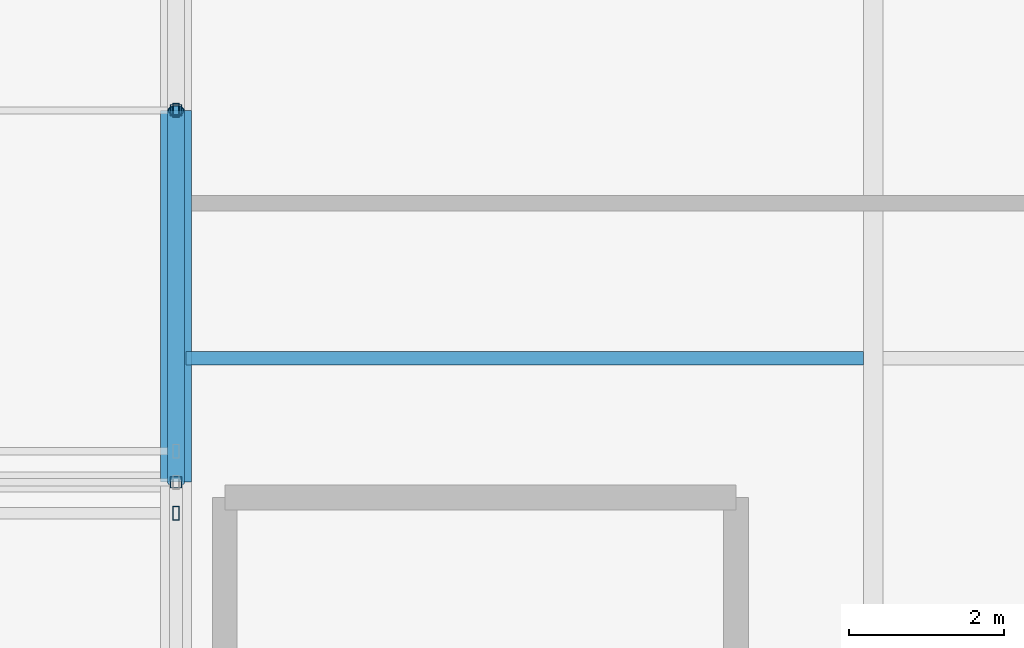
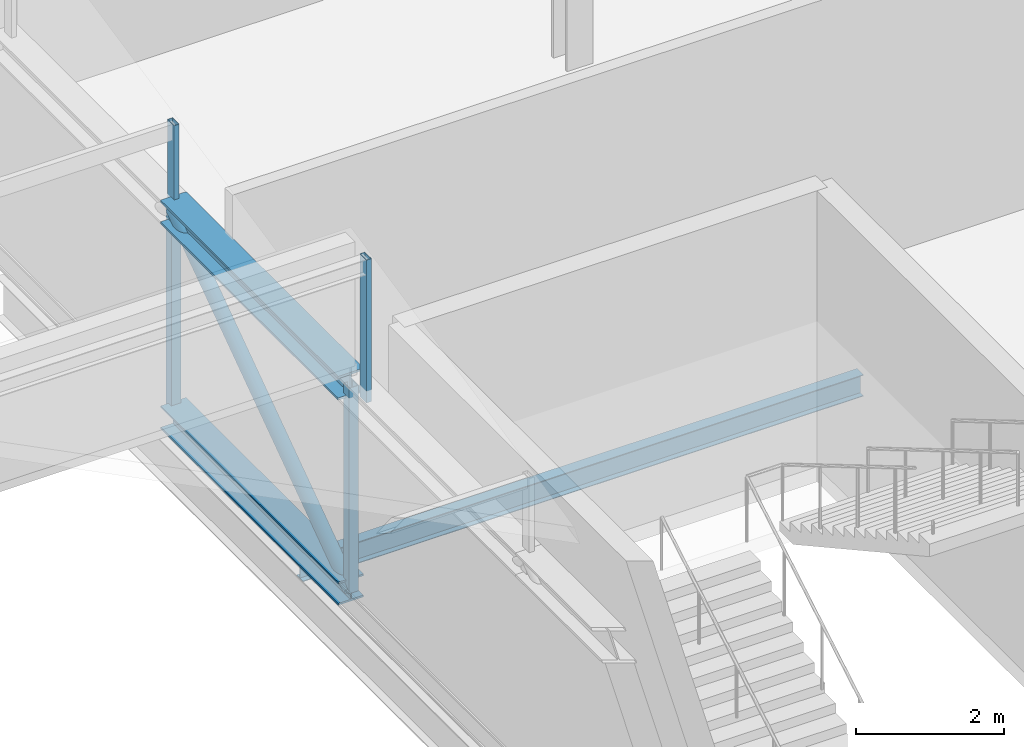
# One storey, part 72 of 136: 5 members, 3 beams.
"""IFC4 building model written with IfcOpenShell, lengths in metres."""

from ifc_helpers import new_model, si_unit, direction, frame, origin, origin_2d, place, context, subcontext, project, spatial, hollow_rectangle, hollow_circle, i_section, extrude, material, material_profile, profile_set, type_object, element, save


model = new_model("IFC4")

# Units and contexts
model_context = context("Model", 3, precision=1e-05, world=origin(), true_north=direction((0.0, 1.0)))
body_context = subcontext(model_context, "Body", "Model", "MODEL_VIEW")
ifc_project = project(units=[si_unit("LENGTHUNIT", "METRE"), si_unit("AREAUNIT", "SQUARE_METRE"), si_unit("VOLUMEUNIT", "CUBIC_METRE"), si_unit("PLANEANGLEUNIT", "RADIAN"), si_unit("MASSUNIT", "GRAM", prefix="KILO")], contexts=[model_context])

# Site, building, storey
site_placement = place(None, origin())
site = spatial("IfcSite", under=ifc_project, at=site_placement, CompositionType="ELEMENT")
building_placement = place(site_placement, origin())
building = spatial("IfcBuilding", under=site, at=building_placement, Name="Kisiwana Market Hall", CompositionType="ELEMENT")
storey_placement = place(building_placement, frame((0.0, 0.0, 16.800048828125)))
storey = spatial("IfcBuildingStorey", under=building, at=storey_placement, Name="L03", CompositionType="ELEMENT", Elevation=16.800048828125)

# Beams
ifc_material_1 = material(Name="Steel S355", Category="steel")
ifc_material_profile_1 = material_profile(ifc_material_1, i_section(OverallWidth=0.17138671875, OverallDepth=0.35498046875, WebThickness=0.00732421875, FlangeThickness=0.011474609375, at=origin_2d()), Name="UB 356x171x51")
ifc_profile_set_1 = profile_set([ifc_material_profile_1], Name="Steel S355")
beam_type_1 = type_object("IfcBeamType", Name="BM-JOIST-UB356", PredefinedType="JOIST", material=ifc_profile_set_1)
beam_1_placement = place(storey_placement, frame((153.125732421875, 76.0, -0.427490234375), z_axis=(1.0, 0.0, 0.0), x_axis=(0.0, 1.0, 0.0)))
element("IfcBeam", 1, at=beam_1_placement, inside=storey, type_object=beam_type_1, Name="Secondary floor joist B-0967", PredefinedType="JOIST", context=body_context, shape_type="SweptSolid", body=[
    extrude(i_section(OverallWidth=0.17138671875, OverallDepth=0.35498046875, WebThickness=0.00732421875, FlangeThickness=0.011474609375, at=origin_2d()), origin(), (0.0, 0.0, 1.0), 8.74853515625),
])
ifc_material_2 = material(Name="Steel S355", Category="steel")
ifc_material_profile_2 = material_profile(ifc_material_2, i_section(OverallWidth=0.394775390625, OverallDepth=0.381103515625, WebThickness=0.018310546875, FlangeThickness=0.0302734375, at=origin_2d()), Name="UC 356x406x235")
ifc_profile_set_2 = profile_set([ifc_material_profile_2], Name="Steel S355")
beam_type_2 = type_object("IfcBeamType", Name="BM-TRUSS-BOT", PredefinedType="USERDEFINED", material=ifc_profile_set_2)
beam_2_placement = place(storey_placement, frame((153.0, 74.39990234375, 0.22998046875), z_axis=(0.0, 1.0, 0.0), x_axis=(-1.0, 0.0, 0.0)))
element("IfcBeam", 2, at=beam_2_placement, inside=storey, type_object=beam_type_2, Name="TR-08 BC panel 9 B-1326", ObjectType="ROOF TRUSS", PredefinedType="USERDEFINED", context=body_context, shape_type="SweptSolid", body=[
    extrude(i_section(OverallWidth=0.394775390625, OverallDepth=0.381103515625, WebThickness=0.018310546875, FlangeThickness=0.0302734375, at=origin_2d()), origin(), (0.0, 0.0, 1.0), 4.800048828125),
])
ifc_material_3 = material(Name="Steel S355", Category="steel")
ifc_material_profile_3 = material_profile(ifc_material_3, i_section(OverallWidth=0.39892578125, OverallDepth=0.3935546875, WebThickness=0.022705078125, FlangeThickness=0.03662109375, at=origin_2d()), Name="UC 356x406x287")
ifc_profile_set_3 = profile_set([ifc_material_profile_3], Name="Steel S355")
beam_type_3 = type_object("IfcBeamType", Name="BM-TRUSS-TOP", PredefinedType="USERDEFINED", material=ifc_profile_set_3)
beam_3_placement = place(storey_placement, frame((153.0, 74.39990234375, 3.619873046875), z_axis=(0.0, 1.0, 0.0), x_axis=(-1.0, 0.0, 0.0)))
element("IfcBeam", 3, at=beam_3_placement, inside=storey, type_object=beam_type_3, Name="TR-08 TC panel 9 B-1336", ObjectType="ROOF TRUSS", PredefinedType="USERDEFINED", context=body_context, shape_type="SweptSolid", body=[
    extrude(i_section(OverallWidth=0.39892578125, OverallDepth=0.3935546875, WebThickness=0.022705078125, FlangeThickness=0.03662109375, at=origin_2d()), origin(), (0.0, 0.0, 1.0), 4.800048828125),
])

# Members
ifc_material_4 = material(Name="Steel S355", Category="steel")
ifc_material_profile_4 = material_profile(ifc_material_4, hollow_rectangle(XDim=0.080078125, YDim=0.179931640625, WallThickness=0.00634765625, at=origin_2d()), Name="RHS 180x80x6.3")
ifc_profile_set_4 = profile_set([ifc_material_profile_4], Name="Steel S355")
member_type_1 = type_object("IfcMemberType", Name="MB-CAN-STRUT", PredefinedType="STRUT", material=ifc_profile_set_4)
member_1_placement = place(storey_placement, frame((153.0, 74.0, 3.619873046875), z_axis=(0.0, 0.0, 1.0), x_axis=(1.0, 0.0, 0.0)))
element("IfcMember", 4, at=member_1_placement, inside=storey, type_object=member_type_1, Name="Sawtooth raker post 310 M-0318", PredefinedType="STRUT", context=body_context, shape_type="SweptSolid", body=[
    extrude(hollow_rectangle(XDim=0.080078125, YDim=0.179931640625, WallThickness=0.00634765625, at=origin_2d()), origin(), (0.0, 0.0, 1.0), 2.355712890625),
])
member_2_placement = place(storey_placement, frame((153.0, 79.199951171875, 3.619873046875), z_axis=(0.0, 0.0, 1.0), x_axis=(1.0, 0.0, 0.0)))
element("IfcMember", 5, at=member_2_placement, inside=storey, type_object=member_type_1, Name="Sawtooth mid-slope raker post 66 M-0090", PredefinedType="STRUT", context=body_context, shape_type="SweptSolid", body=[
    extrude(hollow_rectangle(XDim=0.080078125, YDim=0.179931640625, WallThickness=0.00634765625, at=origin_2d()), origin(), (0.0, 0.0, 1.0), 1.42041015625),
])
ifc_material_5 = material(Name="Steel S355", Category="steel")
ifc_material_profile_5 = material_profile(ifc_material_5, hollow_circle(Radius=0.109619140625, WallThickness=0.012451171875, at=origin_2d()), Name="CHS 219.1x12.5")
ifc_profile_set_5 = profile_set([ifc_material_profile_5], Name="Steel S355")
member_type_2 = type_object("IfcMemberType", Name="MB-TR-DIAG219", PredefinedType="BRACE", material=ifc_profile_set_5)
member_3_placement = place(storey_placement, frame((153.0, 74.39990234375, 0.22998046875), z_axis=(0.0, 0.816837735077, 0.576867501732), x_axis=(-1.0, 0.0, 0.0)))
element("IfcMember", 6, at=member_3_placement, inside=storey, type_object=member_type_2, Name="TR-08 diagonal 9 M-0477", PredefinedType="BRACE", context=body_context, shape_type="SweptSolid", body=[
    extrude(hollow_circle(Radius=0.109619140625, WallThickness=0.012451171875, at=origin_2d()), origin(), (0.0, 0.0, 1.0), 5.87646484375),
])
ifc_material_6 = material(Name="Steel S355", Category="steel")
ifc_material_profile_6 = material_profile(ifc_material_6, hollow_rectangle(XDim=0.14990234375, YDim=0.14990234375, WallThickness=0.008056640625, at=origin_2d()), Name="SHS 150x150x8.0")
ifc_profile_set_6 = profile_set([ifc_material_profile_6], Name="Steel S355")
member_type_3 = type_object("IfcMemberType", Name="MB-TR-STRUT200", PredefinedType="STRUT", material=ifc_profile_set_6)
for number, where, z_axis, x_axis, name in (
    (7, (153.0, 74.39990234375, 0.22998046875), (0.0, 0.0, 1.0), (1.0, 0.0, 0.0), "TR-08 vertical strut 9 M-0485"),
    (8, (153.0, 79.199951171875, 0.22998046875), (0.0, 0.0, 1.0), (1.0, 0.0, 0.0), "TR-08 vertical strut 10 M-0478"),
):
    element("IfcMember", number, at=place(storey_placement, frame(where, z_axis=z_axis, x_axis=x_axis)), inside=storey, type_object=member_type_3, Name=name, PredefinedType="STRUT", context=body_context, shape_type="SweptSolid", body=[
        extrude(hollow_rectangle(XDim=0.14990234375, YDim=0.14990234375, WallThickness=0.008056640625, at=origin_2d()), origin(), (0.0, 0.0, 1.0), 3.389892578125),
    ])

save(model, "model.ifc")
